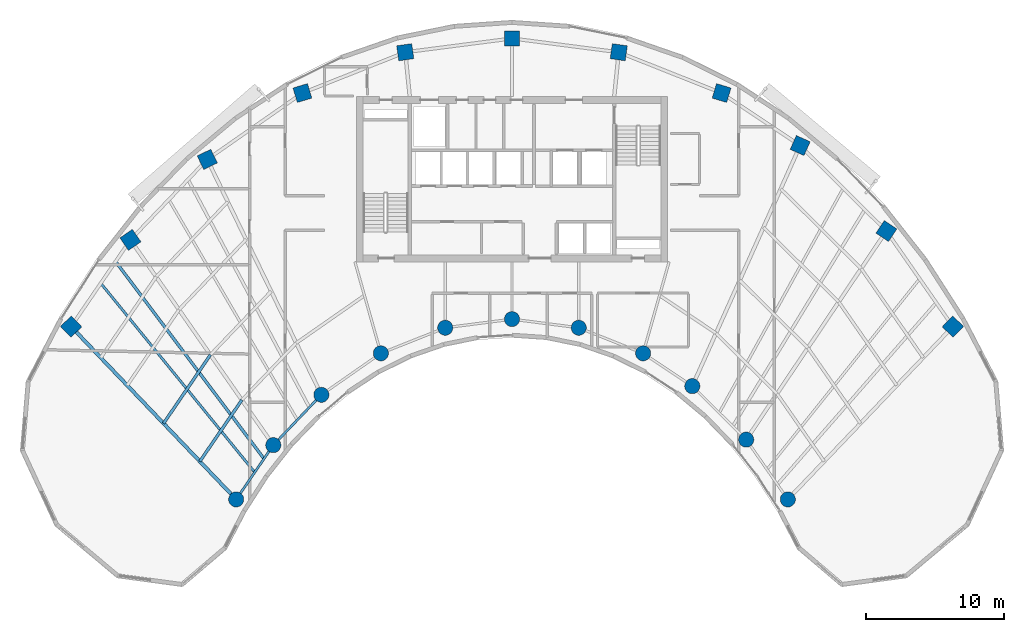
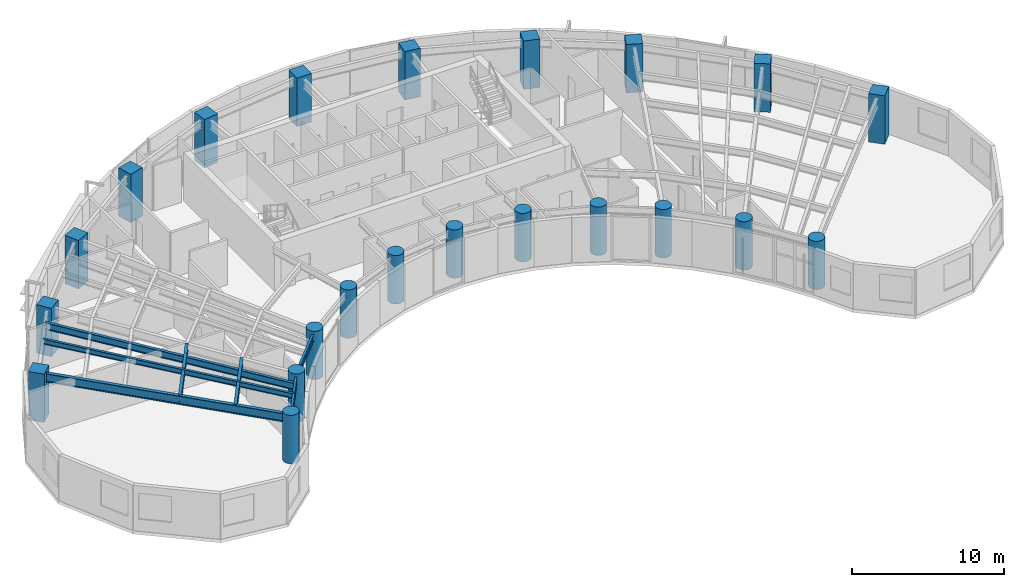
# One storey, part 1 of 13: 22 columns, 7 beams.
"""IFC4 building model written with IfcOpenShell, lengths in metres."""

import ifcopenshell
import ifcopenshell.guid

model = None  # the IFC model being written
_history = None  # IfcOwnerHistory: only IFC2X3 demands one
_inside = {}  # id of a spatial element -> (the spatial element, [elements in it])
_under = {}  # id of a project, library or spatial element -> (it, [spatial elements below it])
_declared = {}  # id of a project -> (the project, [libraries it declares])
_typed = {}  # id of a type object -> (the type object, [elements of that type])
_made_of = {}  # id of a material, layer set ... -> (it, [elements and type objects made of it])


def new_model(schema):
    """Start an empty IFC model of exactly this schema.

    Asked for "IFC4X3", IfcOpenShell would pick the latest addendum, in which some entities
    have other attributes; the version numbers below select the first issue.
    IFC2X3 requires an IfcOwnerHistory on every rooted entity: one is made here for all.
    """
    global model, _history
    if schema == "IFC4X3":
        model = ifcopenshell.file(schema_version=(4, 3, 0, 0))
    else:
        model = ifcopenshell.file(schema=schema)
    _inside.clear()
    _under.clear()
    _declared.clear()
    _typed.clear()
    _made_of.clear()
    _history = None
    if model.schema == "IFC2X3":
        org = make("IfcOrganization", Name="unknown")
        user = make(
            "IfcPersonAndOrganization",
            ThePerson=make("IfcPerson", FamilyName="unknown"),
            TheOrganization=org,
        )
        app = make(
            "IfcApplication",
            ApplicationDeveloper=org,
            Version="unknown",
            ApplicationFullName="unknown",
            ApplicationIdentifier="unknown",
        )
        _history = make(
            "IfcOwnerHistory",
            OwningUser=user,
            OwningApplication=app,
            ChangeAction="ADDED",
            CreationDate=0,
        )
    return model


def make(cls, **values):
    """One entity of the class cls with the attributes given. An attribute that is None is left unset."""
    return model.create_entity(
        cls, **{name: value for name, value in values.items() if value is not None}
    )


def rooted(cls, **values):
    """An entity with a GlobalId (a new one), such as an element, a storey or a relation."""
    return make(cls, GlobalId=ifcopenshell.guid.new(), OwnerHistory=_history, **values)


def si_unit(unit_type, name, prefix=None):
    """IfcSIUnit, for example si_unit("LENGTHUNIT", "METRE", prefix="MILLI")."""
    return make("IfcSIUnit", UnitType=unit_type, Prefix=prefix, Name=name)


def assignment(units):
    """IfcUnitAssignment: the units of a project."""
    return None if units is None else make("IfcUnitAssignment", Units=units)


def point(xyz):
    """IfcCartesianPoint."""
    return None if xyz is None else make("IfcCartesianPoint", Coordinates=xyz)


def direction(xyz):
    """IfcDirection."""
    return None if xyz is None else make("IfcDirection", DirectionRatios=xyz)


def frame(location, z_axis=None, x_axis=None):
    """IfcAxis2Placement3D, a coordinate frame: its origin and axes. An axis left out is left unset."""
    return make(
        "IfcAxis2Placement3D",
        Location=point(location),
        Axis=direction(z_axis),
        RefDirection=direction(x_axis),
    )


def frame_2d(location, x_axis=None):
    """IfcAxis2Placement2D, a coordinate frame in the plane: its origin and x axis."""
    return make(
        "IfcAxis2Placement2D", Location=point(location), RefDirection=direction(x_axis)
    )


def origin():
    """The frame at (0, 0, 0) with its axes left unset."""
    return frame((0.0, 0.0, 0.0))


def origin_2d():
    """The frame at (0, 0) in the plane with its x axis left unset."""
    return frame_2d((0.0, 0.0))


def place(relative_to, where):
    """IfcLocalPlacement: puts the frame where relative to a parent placement (None: the world)."""
    return make(
        "IfcLocalPlacement", PlacementRelTo=relative_to, RelativePlacement=where
    )


def context(
    kind, dimensions, precision=None, world=None, true_north=None, identifier=None
):
    """IfcGeometricRepresentationContext, for example the 3D "Model" context."""
    return make(
        "IfcGeometricRepresentationContext",
        ContextIdentifier=identifier,
        ContextType=kind,
        CoordinateSpaceDimension=dimensions,
        Precision=precision,
        WorldCoordinateSystem=world,
        TrueNorth=true_north,
    )


def subcontext(parent, identifier, kind, view, scale=None):
    """IfcGeometricRepresentationSubContext, for example "Body" below "Model"."""
    return make(
        "IfcGeometricRepresentationSubContext",
        ContextIdentifier=identifier,
        ContextType=kind,
        ParentContext=parent,
        TargetScale=scale,
        TargetView=view,
    )


def project(units=None, contexts=None):
    """IfcProject with its units and contexts."""
    return rooted(
        "IfcProject",
        Name="project",
        RepresentationContexts=contexts,
        UnitsInContext=assignment(units),
    )


def spatial(cls, under=None, at=None, **own):
    """A site, building, storey or space (cls), placed at a placement, below another one or the project."""
    s = rooted(cls, ObjectPlacement=at, **own)
    if under is not None:
        _under.setdefault(under.id(), (under, []))[1].append(s)
    return s


def profile(cls, at=None, kind="AREA", **sizes):
    """A parametric profile (cls). Its sizes go by their IFC names, for example OverallWidth=200.0."""
    return make(cls, ProfileType=kind, Position=at, **sizes)


def rectangle(**sizes):
    """IfcRectangleProfileDef."""
    return profile("IfcRectangleProfileDef", **sizes)


def circle(**sizes):
    """IfcCircleProfileDef."""
    return profile("IfcCircleProfileDef", **sizes)


def i_section(**sizes):
    """IfcIShapeProfileDef."""
    return profile("IfcIShapeProfileDef", **sizes)


def extrude(swept, where, along, depth):
    """IfcExtrudedAreaSolid: the profile swept, set in the frame where, extruded along a direction by depth."""
    return make(
        "IfcExtrudedAreaSolid",
        SweptArea=swept,
        Position=where,
        ExtrudedDirection=direction(along),
        Depth=depth,
    )


def shape(context_of_items, identifier, shape_type, items):
    """IfcShapeRepresentation: the items that make up one representation, for example the "Body"."""
    return make(
        "IfcShapeRepresentation",
        ContextOfItems=context_of_items,
        RepresentationIdentifier=identifier,
        RepresentationType=shape_type,
        Items=items,
    )


def source(mapping_origin, context_of_items, identifier, shape_type, items):
    """IfcRepresentationMap: a shape defined once, which mapped items show again and again."""
    return make(
        "IfcRepresentationMap",
        MappingOrigin=mapping_origin,
        MappedRepresentation=shape(context_of_items, identifier, shape_type, items),
    )


def transform(
    local_origin,
    x_axis=None,
    y_axis=None,
    z_axis=None,
    scale=None,
    scale2=None,
    scale3=None,
    uniform=True,
):
    """IfcCartesianTransformationOperator3D, or its non-uniform kind. x_axis, y_axis, z_axis: its Axis1, 2, 3."""
    if uniform:
        return make(
            "IfcCartesianTransformationOperator3D",
            Axis1=direction(x_axis),
            Axis2=direction(y_axis),
            LocalOrigin=point(local_origin),
            Scale=scale,
            Axis3=direction(z_axis),
        )
    return make(
        "IfcCartesianTransformationOperator3DnonUniform",
        Axis1=direction(x_axis),
        Axis2=direction(y_axis),
        LocalOrigin=point(local_origin),
        Scale=scale,
        Axis3=direction(z_axis),
        Scale2=scale2,
        Scale3=scale3,
    )


def mapped(mapping_source, mapping_target):
    """IfcMappedItem: shows the shape of a source again, moved by a transform."""
    return make(
        "IfcMappedItem", MappingSource=mapping_source, MappingTarget=mapping_target
    )


def material(Name=None, Category=None):
    """IfcMaterial."""
    return make("IfcMaterial", Name=Name, Category=Category)


def material_profile(
    of_material, cross_section, Name=None, Category=None, Priority=None
):
    """IfcMaterialProfile: a cross section and its material."""
    return make(
        "IfcMaterialProfile",
        Name=Name,
        Material=of_material,
        Profile=cross_section,
        Priority=Priority,
        Category=Category,
    )


def profile_set(profiles, Name=None, composite=None):
    """IfcMaterialProfileSet."""
    return make(
        "IfcMaterialProfileSet",
        Name=Name,
        MaterialProfiles=profiles,
        CompositeProfile=composite,
    )


def made_of(thing, what):
    """Note that an element or type object is made of a material, layer set ...; save() writes the relation."""
    if what is not None:
        _made_of.setdefault(what.id(), (what, []))[1].append(thing)
    return thing


def type_object(cls, material=None, **own):
    """A type object (cls), such as IfcWallType, which elements share."""
    return made_of(rooted(cls, **own), material)


def type_shapes(of_type, sources):
    """Give a type object the sources (RepresentationMaps) that its elements show as mapped items."""
    of_type.RepresentationMaps = sources


def element(
    cls,
    number,
    at=None,
    inside=None,
    cuts=None,
    type_object=None,
    material=None,
    context=None,
    identifier="Body",
    shape_type=None,
    held_by="IfcProductDefinitionShape",
    body=None,
    shapes=None,
    **own,
):
    """One element of the class cls, such as IfcWall. Its Tag is "e" and its number.

    at: its placement. inside: the storey or other place that contains it. cuts: it is an
    opening in that element (IfcRelVoidsElement). A single representation is given by context,
    identifier, shape_type and body (its items); several are given by shapes. held_by: the class
    of the entity that holds the representations. save() writes the other relations.
    """
    e = rooted(cls, Tag="e%d" % number, ObjectPlacement=at, **own)
    if body is not None:
        shapes = [shape(context, identifier, shape_type, body)]
    if shapes is not None:
        e.Representation = make(held_by, Representations=shapes)
    if inside is not None:
        _inside.setdefault(inside.id(), (inside, []))[1].append(e)
    if cuts is not None:
        rooted(
            "IfcRelVoidsElement", RelatingBuildingElement=cuts, RelatedOpeningElement=e
        )
    if type_object is not None:
        _typed.setdefault(type_object.id(), (type_object, []))[1].append(e)
    return made_of(e, material)


def aggregate(whole, parts):
    """IfcRelAggregates: a whole, such as a stair, and the parts it consists of."""
    return rooted("IfcRelAggregates", RelatingObject=whole, RelatedObjects=parts)


def save(model, path):
    """Write the relations noted so far, then the file.

    IfcRelAggregates (storeys below a building ...), IfcRelContainedInSpatialStructure (elements
    in a storey), IfcRelDefinesByType, IfcRelAssociatesMaterial and IfcRelDeclares: one each for
    every whole, place, type object, material and project.
    """
    for whole, parts in _under.values():
        aggregate(whole, parts)
    for where, things in _inside.values():
        rooted(
            "IfcRelContainedInSpatialStructure",
            RelatedElements=things,
            RelatingStructure=where,
        )
    for kind, things in _typed.values():
        rooted("IfcRelDefinesByType", RelatedObjects=things, RelatingType=kind)
    for what, things in _made_of.values():
        rooted("IfcRelAssociatesMaterial", RelatedObjects=things, RelatingMaterial=what)
    for by, libraries in _declared.values():
        rooted("IfcRelDeclares", RelatingContext=by, RelatedDefinitions=libraries)
    model.write(path)


model = new_model("IFC4")

# Units and contexts
model_context = context("Model", 3, precision=1e-05, world=origin(), true_north=direction((0.0, 1.0)))
body_context = subcontext(model_context, "Body", "Model", "MODEL_VIEW")
ifc_project = project(units=[si_unit("LENGTHUNIT", "METRE"), si_unit("AREAUNIT", "SQUARE_METRE"), si_unit("VOLUMEUNIT", "CUBIC_METRE"), si_unit("PLANEANGLEUNIT", "RADIAN"), si_unit("MASSUNIT", "GRAM", prefix="KILO")], contexts=[model_context])

# Site, building, storey
site_placement = place(None, origin())
site = spatial("IfcSite", under=ifc_project, at=site_placement, CompositionType="ELEMENT")
building_placement = place(site_placement, origin())
building = spatial("IfcBuilding", under=site, at=building_placement, Name="Breltana Convention Tower", CompositionType="ELEMENT")
storey_placement = place(building_placement, frame((0.0, 0.0, 174.0)))
storey = spatial("IfcBuildingStorey", under=building, at=storey_placement, Name="L42", CompositionType="ELEMENT", Elevation=174.0)

# Columns
ifc_material_1 = material(Name="Concrete C60/75", Category="concrete")
ifc_material_profile_1 = material_profile(ifc_material_1, rectangle(XDim=1.10009765625, YDim=1.10009765625, at=origin_2d()), Name="RC-COL-1100X1100")
ifc_profile_set_1 = profile_set([ifc_material_profile_1], Name="Concrete C60/75")
column_type_1 = type_object("IfcColumnType", Name="COL-RC-1100", PredefinedType="COLUMN", material=ifc_profile_set_1)
shared_shape_1 = source(origin(), body_context, "Body", "SweptSolid", [
    extrude(rectangle(XDim=1.10009765625, YDim=1.10009765625, at=origin_2d()), origin(), (0.0, 0.0, 1.0), 3.89990234375),
])
for number, where, z_axis, x_axis, name in (
    (1, (16.0068359375, 55.494384765625, 0.0), (0.0, 0.0, 1.0), (-0.690756218984, 0.723087716626, 0.0), "L42 Tower Column R01-OUT"),
    (2, (20.310791015625, 61.78857421875, 0.0), (0.0, 0.0, 1.0), (-0.571143442153, 0.820850271661, 0.0), "L42 Tower Column R02-OUT"),
    (3, (25.8876953125, 67.626953125, 0.0), (0.0, 0.0, 1.0), (-0.436173672171, 0.899862504889, 0.0), "L42 Tower Column R03-OUT"),
    (4, (32.791015625, 72.4423828125, 0.0), (0.0, 0.0, 1.0), (-0.288697611798, 0.957420330337, 0.0), "L42 Tower Column R04-OUT"),
    (5, (40.253173828125, 75.404296875, 0.0), (0.0, 0.0, 1.0), (-0.143492621991, 0.98965138682, 0.0), "L42 Tower Column R05-OUT"),
    (6, (48.0, 76.404052734375, 0.0), (0.0, 0.0, 1.0), (0.0, 1.0, 0.0), "L42 Tower Column R06-OUT"),
    (7, (55.746826171875, 75.404296875, 0.0), (0.0, 0.0, 1.0), (0.143492621991, 0.98965138682, 0.0), "L42 Tower Column R07-OUT"),
    (8, (63.208984375, 72.4423828125, 0.0), (0.0, 0.0, 1.0), (0.288697611798, 0.957420330337, 0.0), "L42 Tower Column R08-OUT"),
    (9, (68.910400390625, 68.63330078125, 0.0), (0.0, 0.0, 1.0), (0.409126902895, 0.912477494148, 0.0), "L42 Tower Column R09-OUT"),
    (10, (75.166748046875, 62.43017578125, 0.0), (0.0, 0.0, 1.0), (0.55774510898, 0.830012285095, 0.0), "L42 Tower Column R10-OUT"),
    (11, (79.9931640625, 55.494384765625, 0.0), (0.0, 0.0, 1.0), (0.690756218984, 0.723087716626, 0.0), "L42 Tower Column R11-OUT"),
):
    element("IfcColumn", number, at=place(storey_placement, frame(where, z_axis=z_axis, x_axis=x_axis)), inside=storey, type_object=column_type_1, Name=name, PredefinedType="COLUMN", context=body_context, shape_type="MappedRepresentation", body=[
        mapped(shared_shape_1, transform((0.0, 0.0, 0.0), scale=1.0)),
    ])
ifc_material_2 = material(Name="Concrete C50/60", Category="concrete")
ifc_material_profile_2 = material_profile(ifc_material_2, circle(Radius=0.550048828125, at=origin_2d()), Name="RC-COL-D1100")
ifc_profile_set_2 = profile_set([ifc_material_profile_2], Name="Concrete C50/60")
column_type_2 = type_object("IfcColumnType", Name="COL-RC-D1100", PredefinedType="COLUMN", material=ifc_profile_set_2)
shared_shape_2 = source(origin(), body_context, "Body", "SweptSolid", [
    extrude(circle(Radius=0.550048828125, at=origin_2d()), origin(), (0.0, 0.0, 1.0), 3.89990234375),
])
for number, where, z_axis, x_axis, name in (
    (12, (27.984619140625, 42.95458984375, 0.0), (0.0, 0.0, 1.0), (-0.690756218984, 0.723087716626, 0.0), "L42 Tower Column R01-IN"),
    (13, (30.67724609375, 46.892333984375, 0.0), (0.0, 0.0, 1.0), (-0.571143442153, 0.820850271661, 0.0), "L42 Tower Column R02-IN"),
    (14, (34.166259765625, 50.544921875, 0.0), (0.0, 0.0, 1.0), (-0.436173672171, 0.899862504889, 0.0), "L42 Tower Column R03-IN"),
    (15, (38.485107421875, 53.5576171875, 0.0), (0.0, 0.0, 1.0), (-0.288697611798, 0.957420330337, 0.0), "L42 Tower Column R04-IN"),
    (16, (43.153564453125, 55.41064453125, 0.0), (0.0, 0.0, 1.0), (-0.143492621991, 0.98965138682, 0.0), "L42 Tower Column R05-IN"),
    (17, (48.0, 56.035888671875, 0.0), (0.0, 0.0, 1.0), (0.0, 1.0, 0.0), "L42 Tower Column R06-IN"),
    (18, (52.846435546875, 55.41064453125, 0.0), (0.0, 0.0, 1.0), (0.143492621991, 0.98965138682, 0.0), "L42 Tower Column R07-IN"),
    (19, (57.514892578125, 53.5576171875, 0.0), (0.0, 0.0, 1.0), (0.288697611798, 0.957420330337, 0.0), "L42 Tower Column R08-IN"),
    (20, (61.08203125, 51.174560546875, 0.0), (0.0, 0.0, 1.0), (0.409126902895, 0.912477494148, 0.0), "L42 Tower Column R09-IN"),
    (21, (64.995849609375, 47.293701171875, 0.0), (0.0, 0.0, 1.0), (0.55774510898, 0.830012285095, 0.0), "L42 Tower Column R10-IN"),
    (22, (68.015380859375, 42.95458984375, 0.0), (0.0, 0.0, 1.0), (0.690756218984, 0.723087716626, 0.0), "L42 Tower Column R11-IN"),
):
    element("IfcColumn", number, at=place(storey_placement, frame(where, z_axis=z_axis, x_axis=x_axis)), inside=storey, type_object=column_type_2, Name=name, PredefinedType="COLUMN", context=body_context, shape_type="MappedRepresentation", body=[
        mapped(shared_shape_2, transform((0.0, 0.0, 0.0), scale=1.0)),
    ])

# Beams
ifc_material_3 = material(Name="Steel ASTM A992 Grade 50", Category="steel")
ifc_material_profile_3 = material_profile(ifc_material_3, i_section(OverallWidth=0.179931640625, OverallDepth=0.4130859375, WebThickness=0.009765625, FlangeThickness=0.01611328125, at=origin_2d()), Name="W16X50")
ifc_profile_set_3 = profile_set([ifc_material_profile_3], Name="Steel ASTM A992 Grade 50")
beam_type_1 = type_object("IfcBeamType", Name="BM-JSG-08", PredefinedType="JOIST", material=ifc_profile_set_3)
shared_shape_3 = source(origin(), body_context, "Body", "SweptSolid", [
    extrude(i_section(OverallWidth=0.179931640625, OverallDepth=0.4130859375, WebThickness=0.009765625, FlangeThickness=0.01611328125, at=origin_2d()), origin(), (0.0, 0.0, 1.0), 17.691650390625),
])
type_shapes(beam_type_1, [shared_shape_3])
beam_1_placement = place(storey_placement, frame((29.330810546875, 44.923583984375, 3.443603515625), z_axis=(-0.631476958478, 0.775394642044, 0.0), x_axis=(-0.775394642044, -0.631476958478, 0.0)))
element("IfcBeam", 23, at=beam_1_placement, inside=storey, type_object=beam_type_1, Name="L42 Mid-Bay Radial Trimmer 01", PredefinedType="JOIST", context=body_context, shape_type="MappedRepresentation", body=[
    mapped(shared_shape_3, transform((0.0, 0.0, 0.0), scale=1.0)),
])
ifc_material_profile_4 = material_profile(ifc_material_3, i_section(OverallWidth=0.214111328125, OverallDepth=0.549072265625, WebThickness=0.0146484375, FlangeThickness=0.023681640625, at=origin_2d()), Name="W21X93")
ifc_profile_set_4 = profile_set([ifc_material_profile_4], Name="Steel ASTM A992 Grade 50")
beam_type_2 = type_object("IfcBeamType", Name="BM-JSG-03", PredefinedType="JOIST", material=ifc_profile_set_4)
shared_shape_4 = source(origin(), body_context, "Body", "SweptSolid", [
    extrude(i_section(OverallWidth=0.214111328125, OverallDepth=0.549072265625, WebThickness=0.0146484375, FlangeThickness=0.023681640625, at=origin_2d()), origin(), (0.0, 0.0, 1.0), 17.9072265625),
])
beam_2_placement = place(storey_placement, frame((30.00390625, 45.907958984375, 3.37548828125), z_axis=(-0.601382105028, 0.798961553363, 0.0), x_axis=(-0.798961553363, -0.601382105028, 0.0)))
element("IfcBeam", 24, at=beam_2_placement, inside=storey, type_object=beam_type_2, Name="L42 Quarter-Bay Radial Trimmer 01", PredefinedType="JOIST", context=body_context, shape_type="MappedRepresentation", body=[
    mapped(shared_shape_4, transform((0.0, 0.0, 0.0), scale=1.0)),
])
shared_shape_5 = source(origin(), body_context, "Body", "SweptSolid", [
    extrude(i_section(OverallWidth=0.214111328125, OverallDepth=0.549072265625, WebThickness=0.0146484375, FlangeThickness=0.023681640625, at=origin_2d()), origin(), (0.0, 0.0, 1.0), 5.3984375),
])
beam_3_placement = place(storey_placement, frame((25.349365234375, 45.71337890625, 3.37548828125), z_axis=(0.564440705434, 0.825473615599, 0.0), x_axis=(-0.825473615599, 0.564440705434, 0.0)))
element("IfcBeam", 25, at=beam_3_placement, inside=storey, type_object=beam_type_2, Name="L42 Composite Floor Joist 01.1", PredefinedType="JOIST", context=body_context, shape_type="MappedRepresentation", body=[
    mapped(shared_shape_5, transform((0.0, 0.0, 0.0), scale=1.0)),
])
shared_shape_6 = source(origin(), body_context, "Body", "SweptSolid", [
    extrude(i_section(OverallWidth=0.214111328125, OverallDepth=0.549072265625, WebThickness=0.0146484375, FlangeThickness=0.023681640625, at=origin_2d()), origin(), (0.0, 0.0, 1.0), 6.0263671875),
])
beam_4_placement = place(storey_placement, frame((22.71435546875, 48.47216796875, 3.37548828125), z_axis=(0.564450071397, 0.825467211281, 0.0), x_axis=(-0.825467211281, 0.564450071397, 0.0)))
element("IfcBeam", 26, at=beam_4_placement, inside=storey, type_object=beam_type_2, Name="L42 Composite Floor Joist 01.2", PredefinedType="JOIST", context=body_context, shape_type="MappedRepresentation", body=[
    mapped(shared_shape_6, transform((0.0, 0.0, 0.0), scale=1.0)),
])
ifc_material_profile_5 = material_profile(ifc_material_3, i_section(OverallWidth=0.25390625, OverallDepth=0.68798828125, WebThickness=0.01318359375, FlangeThickness=0.02099609375, at=origin_2d()), Name="W27X102")
ifc_profile_set_5 = profile_set([ifc_material_profile_5], Name="Steel ASTM A992 Grade 50")
beam_type_3 = type_object("IfcBeamType", Name="BM-RG-W27X102", PredefinedType="USERDEFINED", material=ifc_profile_set_5)
shared_shape_7 = source(origin(), body_context, "Body", "SweptSolid", [
    extrude(i_section(OverallWidth=0.25390625, OverallDepth=0.68798828125, WebThickness=0.01318359375, FlangeThickness=0.02099609375, at=origin_2d()), origin(), (0.0, 0.0, 1.0), 17.341064453125),
])
type_shapes(beam_type_3, [shared_shape_7])
beam_5_placement = place(storey_placement, frame((27.984619140625, 42.95458984375, 3.305908203125), z_axis=(-0.690716462293, 0.723125693581, 0.0), x_axis=(-0.723125693581, -0.690716462293, 0.0)))
element("IfcBeam", 27, at=beam_5_placement, inside=storey, type_object=beam_type_3, Name="L42 Radial Floor Girder R01", ObjectType="GIRDER", PredefinedType="USERDEFINED", context=body_context, shape_type="MappedRepresentation", body=[
    mapped(shared_shape_7, transform((0.0, 0.0, 0.0), scale=1.0)),
])
ifc_material_profile_6 = material_profile(ifc_material_3, i_section(OverallWidth=0.166015625, OverallDepth=0.534912109375, WebThickness=0.01025390625, FlangeThickness=0.0166015625, at=origin_2d()), Name="W21X57")
ifc_profile_set_6 = profile_set([ifc_material_profile_6], Name="Steel ASTM A992 Grade 50")
beam_type_4 = type_object("IfcBeamType", Name="BM-BM-W21X57", PredefinedType="BEAM", material=ifc_profile_set_6)
shared_shape_8 = source(origin(), body_context, "Body", "SweptSolid", [
    extrude(i_section(OverallWidth=0.166015625, OverallDepth=0.534912109375, WebThickness=0.01025390625, FlangeThickness=0.0166015625, at=origin_2d()), origin(), (0.0, 0.0, 1.0), 4.770263671875),
])
beam_6_placement = place(storey_placement, frame((27.984619140625, 42.95458984375, 3.382568359375), z_axis=(0.564452719055, 0.82546540082, 0.0), x_axis=(-0.82546540082, 0.564452719055, 0.0)))
element("IfcBeam", 28, at=beam_6_placement, inside=storey, type_object=beam_type_4, Name="L42 Inner Ring Beam 01", PredefinedType="BEAM", context=body_context, shape_type="MappedRepresentation", body=[
    mapped(shared_shape_8, transform((0.0, 0.0, 0.0), scale=1.0)),
])
shared_shape_9 = source(origin(), body_context, "Body", "SweptSolid", [
    extrude(i_section(OverallWidth=0.166015625, OverallDepth=0.534912109375, WebThickness=0.01025390625, FlangeThickness=0.0166015625, at=origin_2d()), origin(), (0.0, 0.0, 1.0), 5.05126953125),
])
beam_7_placement = place(storey_placement, frame((30.67724609375, 46.892333984375, 3.382568359375), z_axis=(0.690729753845, 0.7231129975, 0.0), x_axis=(-0.7231129975, 0.690729753845, 0.0)))
element("IfcBeam", 29, at=beam_7_placement, inside=storey, type_object=beam_type_4, Name="L42 Inner Ring Beam 02", PredefinedType="BEAM", context=body_context, shape_type="MappedRepresentation", body=[
    mapped(shared_shape_9, transform((0.0, 0.0, 0.0), scale=1.0)),
])

save(model, "model.ifc")
